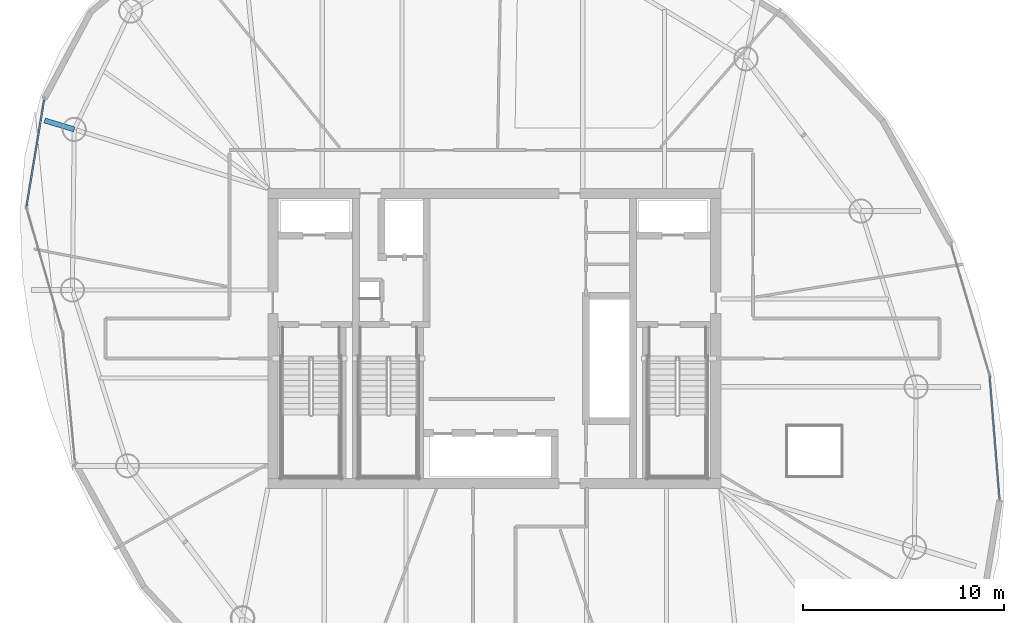
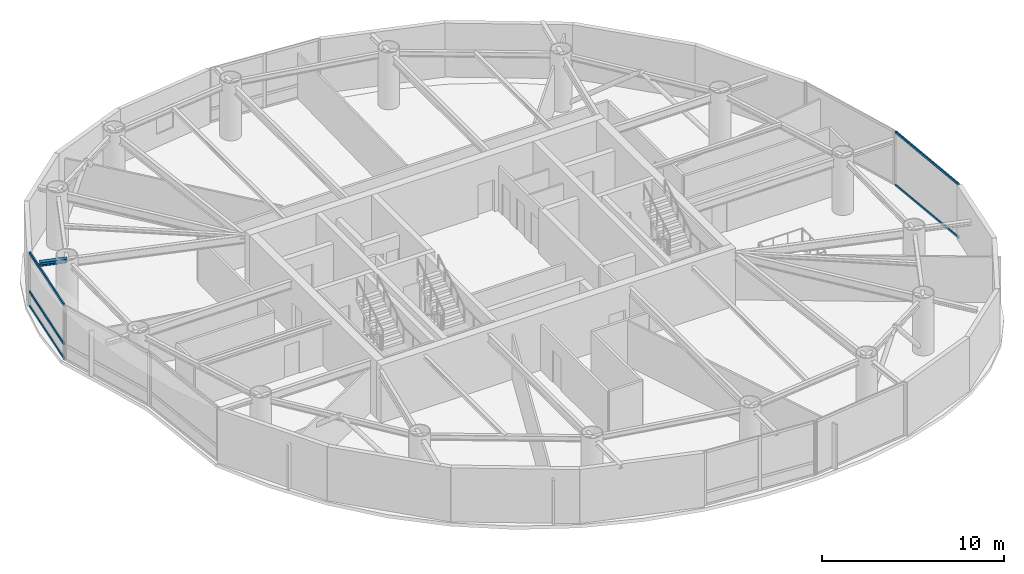
# One storey, part 10 of 21: 5 members, 1 beam, 2 elements without a shape of their own.
"""IFC4 building model written with IfcOpenShell, lengths in metres."""

from ifc_helpers import new_model, si_unit, direction, frame, origin, origin_2d, place, context, subcontext, project, spatial, hollow_rectangle, i_section, extrude, material, layer, layer_set, material_profile, profile_set, type_object, element, aggregate, save


model = new_model("IFC4")

# Units and contexts
model_context = context("Model", 3, precision=1e-05, world=origin(), true_north=direction((0.0, 1.0)))
body_context = subcontext(model_context, "Body", "Model", "MODEL_VIEW")
ifc_project = project(units=[si_unit("LENGTHUNIT", "METRE"), si_unit("AREAUNIT", "SQUARE_METRE"), si_unit("VOLUMEUNIT", "CUBIC_METRE"), si_unit("PLANEANGLEUNIT", "RADIAN"), si_unit("MASSUNIT", "GRAM", prefix="KILO")], contexts=[model_context])

# Site, building, storey
site_placement = place(None, origin())
site = spatial("IfcSite", under=ifc_project, at=site_placement, CompositionType="ELEMENT")
building_placement = place(site_placement, origin())
building = spatial("IfcBuilding", under=site, at=building_placement, Name="Bramvorn Convention Spire", CompositionType="ELEMENT")
storey_placement = place(building_placement, frame((0.0, 0.0, 186.60009765625)))
storey = spatial("IfcBuildingStorey", under=building, at=storey_placement, Name="L47", CompositionType="ELEMENT", Elevation=186.60009765625)

# Beam
ifc_material_1 = material(Name="Steel CSA G40.21 Grade 350 (350W)", Category="steel")
ifc_material_profile_1 = material_profile(ifc_material_1, i_section(OverallWidth=0.25390625, OverallDepth=0.2529296875, WebThickness=0.008544921875, FlangeThickness=0.01416015625, FilletRadius=0.011962890625, at=origin_2d()))
ifc_profile_set_1 = profile_set([ifc_material_profile_1], Name="Steel CSA G40.21 Grade 350 (350W) - W250X73")
beam_type = type_object("IfcBeamType", Name="BM-W250X73", PredefinedType="BEAM", material=ifc_profile_set_1)
beam_placement = place(storey_placement, frame((17.136962890625, 36.380615234375, 3.493408203125), z_axis=(-0.956556300013, 0.291547671753, 0.0), x_axis=(-0.291547671753, -0.956556300013, 0.0)))
element("IfcBeam", 1, at=beam_placement, inside=storey, type_object=beam_type, Name="L47 slab-edge cantilever tip beam MC10", PredefinedType="BEAM", context=body_context, shape_type="SweptSolid", body=[
    extrude(i_section(OverallWidth=0.25390625, OverallDepth=0.2529296875, WebThickness=0.008544921875, FlangeThickness=0.01416015625, FilletRadius=0.011962890625, at=origin_2d()), origin(), (0.0, 0.0, 1.0), 1.534912109375),
])

# Curtain wall, members
ifc_material_2 = material(Name="Anodised Bronze Unitised Curtain Wall", Category="aluminium")
ifc_layer_1 = layer(ifc_material_2, 0.179931640625)
ifc_layer_set_1 = layer_set([ifc_layer_1], Name="Anodised Bronze Unitised Curtain Wall - CW-OFF-FRIT")
curtain_wall_type_1 = type_object("IfcCurtainWallType", Name="CW-OFF-FRIT", PredefinedType="USERDEFINED", material=ifc_layer_set_1)
curtain_wall_1_placement = place(storey_placement, origin())
curtain_wall_1 = element("IfcCurtainWall", 2, at=curtain_wall_1_placement, inside=storey, type_object=curtain_wall_type_1, Name="L47 fritted glass curtain wall 03", ObjectType="UNITISED CURTAIN WALL", PredefinedType="USERDEFINED")
ifc_material_3 = material(Name="Anodised Bronze Aluminium 6063-T6", Category="aluminium")
ifc_material_profile_2 = material_profile(ifc_material_3, hollow_rectangle(XDim=0.080078125, YDim=0.159912109375, WallThickness=0.00390625, InnerFilletRadius=0.0009765625, OuterFilletRadius=0.00390625, at=origin_2d()))
ifc_profile_set_2 = profile_set([ifc_material_profile_2], Name="Anodised Bronze Aluminium 6063-T6 - CWT80X160")
member_type_1 = type_object("IfcMemberType", Name="CW-TRN-150", PredefinedType="USERDEFINED", material=ifc_profile_set_2)
member_1_placement = place(storey_placement, frame((62.611572265625, 24.125, 0.02978515625), z_axis=(0.079722975043, -0.996817058065, 0.0), x_axis=(0.996817058065, 0.079722975043, 0.0)))
member_1 = element("IfcMember", 3, at=member_1_placement, type_object=member_type_1, Name="CW3 transom 1.1", ObjectType="TRANSOM", PredefinedType="USERDEFINED", context=body_context, shape_type="SweptSolid", body=[
    extrude(hollow_rectangle(XDim=0.080078125, YDim=0.159912109375, WallThickness=0.00390625, InnerFilletRadius=0.0009765625, OuterFilletRadius=0.00390625, at=origin_2d()), origin(), (0.0, 0.0, 1.0), 6.1064453125),
])
member_2_placement = place(storey_placement, frame((62.611572265625, 24.125, 3.58984375), z_axis=(0.079722975043, -0.996817058065, 0.0), x_axis=(0.996817058065, 0.079722975043, 0.0)))
member_2 = element("IfcMember", 4, at=member_2_placement, type_object=member_type_1, Name="CW3 transom 1.2", ObjectType="TRANSOM", PredefinedType="USERDEFINED", context=body_context, shape_type="SweptSolid", body=[
    extrude(hollow_rectangle(XDim=0.080078125, YDim=0.159912109375, WallThickness=0.00390625, InnerFilletRadius=0.0009765625, OuterFilletRadius=0.00390625, at=origin_2d()), origin(), (0.0, 0.0, 1.0), 6.1064453125),
])
aggregate(curtain_wall_1, [member_1, member_2])

ifc_layer_2 = layer(ifc_material_2, 0.219970703125)
ifc_layer_set_2 = layer_set([ifc_layer_2], Name="Anodised Bronze Unitised Curtain Wall - CW-SKYGARDEN")
curtain_wall_type_2 = type_object("IfcCurtainWallType", Name="CW-SKYGARDEN", PredefinedType="USERDEFINED", material=ifc_layer_set_2)
curtain_wall_2_placement = place(storey_placement, origin())
curtain_wall_2 = element("IfcCurtainWall", 5, at=curtain_wall_2_placement, inside=storey, type_object=curtain_wall_type_2, Name="L47 Sky Garden glazed facade 14", ObjectType="WINTER GARDEN GLAZING", PredefinedType="USERDEFINED")
ifc_material_profile_3 = material_profile(ifc_material_3, hollow_rectangle(XDim=0.090087890625, YDim=0.179931640625, WallThickness=0.00439453125, InnerFilletRadius=0.0009765625, OuterFilletRadius=0.00439453125, at=origin_2d()))
ifc_profile_set_3 = profile_set([ifc_material_profile_3], Name="Anodised Bronze Aluminium 6063-T6 - CWT90X180")
member_type_2 = type_object("IfcMemberType", Name="CW-TRN-180", PredefinedType="USERDEFINED", material=ifc_profile_set_3)
member_3_placement = place(storey_placement, frame((14.773193359375, 32.572265625, 0.02978515625), z_axis=(0.163265485086, 0.986582171631, 0.0), x_axis=(-0.986582171631, 0.163265485086, 0.0)))
member_3 = element("IfcMember", 6, at=member_3_placement, type_object=member_type_2, Name="CW4 transom 1.1", ObjectType="TRANSOM", PredefinedType="USERDEFINED", context=body_context, shape_type="SweptSolid", body=[
    extrude(hollow_rectangle(XDim=0.090087890625, YDim=0.179931640625, WallThickness=0.00439453125, InnerFilletRadius=0.0009765625, OuterFilletRadius=0.00439453125, at=origin_2d()), origin(), (0.0, 0.0, 1.0), 5.344482421875),
])
member_4_placement = place(storey_placement, frame((14.773193359375, 32.572265625, 1.0), z_axis=(0.163265485086, 0.986582171631, 0.0), x_axis=(-0.986582171631, 0.163265485086, 0.0)))
member_4 = element("IfcMember", 7, at=member_4_placement, type_object=member_type_2, Name="CW4 transom 1.2", ObjectType="TRANSOM", PredefinedType="USERDEFINED", context=body_context, shape_type="SweptSolid", body=[
    extrude(hollow_rectangle(XDim=0.090087890625, YDim=0.179931640625, WallThickness=0.00439453125, InnerFilletRadius=0.0009765625, OuterFilletRadius=0.00439453125, at=origin_2d()), origin(), (0.0, 0.0, 1.0), 5.344482421875),
])
member_5_placement = place(storey_placement, frame((14.773193359375, 32.572265625, 3.58984375), z_axis=(0.163265485086, 0.986582171631, 0.0), x_axis=(-0.986582171631, 0.163265485086, 0.0)))
member_5 = element("IfcMember", 8, at=member_5_placement, type_object=member_type_2, Name="CW4 transom 1.3", ObjectType="TRANSOM", PredefinedType="USERDEFINED", context=body_context, shape_type="SweptSolid", body=[
    extrude(hollow_rectangle(XDim=0.090087890625, YDim=0.179931640625, WallThickness=0.00439453125, InnerFilletRadius=0.0009765625, OuterFilletRadius=0.00439453125, at=origin_2d()), origin(), (0.0, 0.0, 1.0), 5.344482421875),
])
aggregate(curtain_wall_2, [member_3, member_4, member_5])

save(model, "model.ifc")
